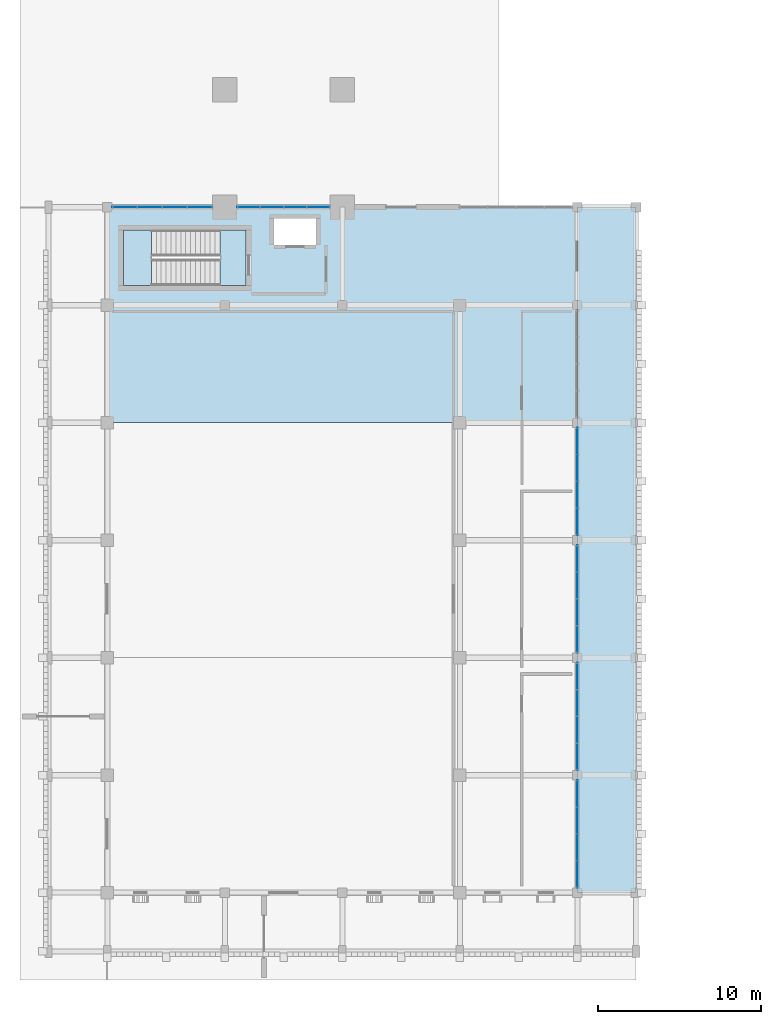
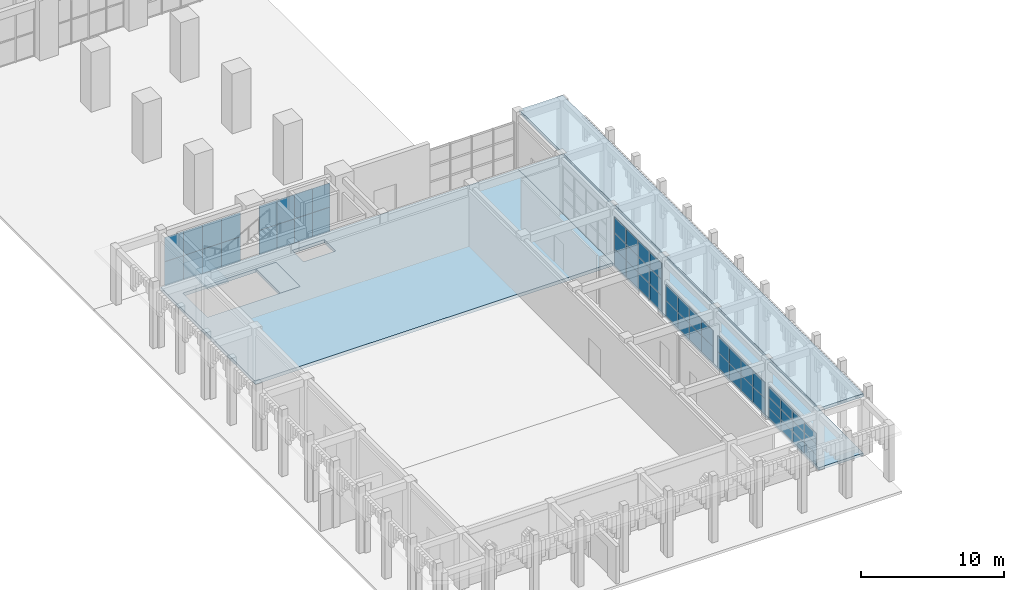
# One storey, part 26 of 72: 56 plates, 5 slabs, 7 elements without a shape of their own.
"""IFC4 building model written with IfcOpenShell, lengths in metres."""

from ifc_helpers import new_model, si_unit, direction, frame, origin, origin_2d, place, context, subcontext, project, spatial, polyline, rectangle, outline, extrude, material, layer, layer_set, type_object, element, aggregate, save


model = new_model("IFC4")

# Units and contexts
model_context = context("Model", 3, precision=1e-05, world=origin(), true_north=direction((0.0, 1.0)))
body_context = subcontext(model_context, "Body", "Model", "MODEL_VIEW")
ifc_project = project(units=[si_unit("LENGTHUNIT", "METRE"), si_unit("AREAUNIT", "SQUARE_METRE"), si_unit("VOLUMEUNIT", "CUBIC_METRE"), si_unit("PLANEANGLEUNIT", "RADIAN"), si_unit("MASSUNIT", "GRAM", prefix="KILO")], contexts=[model_context])

# Site, building, storey
site_placement = place(None, origin())
site = spatial("IfcSite", under=ifc_project, at=site_placement, CompositionType="ELEMENT")
building_placement = place(site_placement, origin())
building = spatial("IfcBuilding", under=site, at=building_placement, Name="Nzembalo Square Collegiate School", CompositionType="ELEMENT")
storey_placement = place(building_placement, origin())
storey = spatial("IfcBuildingStorey", under=building, at=storey_placement, Name="L00", CompositionType="ELEMENT", Elevation=0.0)

# Curtain wall, plates
ifc_material_1 = material(Name="Aluminium 6060-T66", Category="aluminium")
curtain_wall_type_1 = type_object("IfcCurtainWallType", Name="CW-02", PredefinedType="USERDEFINED", material=ifc_material_1)
curtain_wall_1_placement = place(storey_placement, origin())
curtain_wall_1 = element("IfcCurtainWall", 1, at=curtain_wall_1_placement, inside=storey, type_object=curtain_wall_type_1, Name="Curtain wall CW-02 cw:L00:001", ObjectType="UNITISED", PredefinedType="USERDEFINED")
ifc_material_2 = material(Name="Laminated solar-control double glazing", Category="glass")
ifc_layer_1 = layer(ifc_material_2, 0.028076171875, Name="Laminated solar-control double glazing")
ifc_layer_set_1 = layer_set([ifc_layer_1], Name="Laminated solar-control double glazing")
plate_type_1 = type_object("IfcPlateType", Name="PN01", PredefinedType="CURTAIN_PANEL", material=ifc_layer_set_1)
plate_1_placement = place(storey_placement, frame((37.199951171875, 9.526611328125, 0.00390625), z_axis=(0.0, 0.0, 1.0), x_axis=(0.0, 1.0, 0.0)))
plate_1 = element("IfcPlate", 2, at=plate_1_placement, type_object=plate_type_1, Name="PN01 glazed panel 1-1", PredefinedType="CURTAIN_PANEL", context=body_context, shape_type="SweptSolid", body=[
    extrude(rectangle(XDim=1.64111328125, YDim=0.028076171875, at=origin_2d()), origin(), (0.0, 0.0, 1.0), 0.90673828125),
])
plate_2_placement = place(storey_placement, frame((37.199951171875, 11.175537109375, 0.00390625), z_axis=(0.0, 0.0, 1.0), x_axis=(0.0, 1.0, 0.0)))
plate_2 = element("IfcPlate", 3, at=plate_2_placement, type_object=plate_type_1, Name="PN01 glazed panel 1-2", PredefinedType="CURTAIN_PANEL", context=body_context, shape_type="SweptSolid", body=[
    extrude(rectangle(XDim=1.64111328125, YDim=0.028076171875, at=origin_2d()), origin(), (0.0, 0.0, 1.0), 0.90673828125),
])
plate_3_placement = place(storey_placement, frame((37.199951171875, 12.824462890625, 0.00390625), z_axis=(0.0, 0.0, 1.0), x_axis=(0.0, 1.0, 0.0)))
plate_3 = element("IfcPlate", 4, at=plate_3_placement, type_object=plate_type_1, Name="PN01 glazed panel 1-3", PredefinedType="CURTAIN_PANEL", context=body_context, shape_type="SweptSolid", body=[
    extrude(rectangle(XDim=1.64111328125, YDim=0.028076171875, at=origin_2d()), origin(), (0.0, 0.0, 1.0), 0.90673828125),
])
plate_4_placement = place(storey_placement, frame((37.199951171875, 14.473388671875, 0.00390625), z_axis=(0.0, 0.0, 1.0), x_axis=(0.0, 1.0, 0.0)))
plate_4 = element("IfcPlate", 5, at=plate_4_placement, type_object=plate_type_1, Name="PN01 glazed panel 1-4", PredefinedType="CURTAIN_PANEL", context=body_context, shape_type="SweptSolid", body=[
    extrude(rectangle(XDim=1.64111328125, YDim=0.028076171875, at=origin_2d()), origin(), (0.0, 0.0, 1.0), 0.90673828125),
])
plate_5_placement = place(storey_placement, frame((37.199951171875, 9.526611328125, 0.918701171875), z_axis=(0.0, 0.0, 1.0), x_axis=(0.0, 1.0, 0.0)))
plate_5 = element("IfcPlate", 6, at=plate_5_placement, type_object=plate_type_1, Name="PN01 glazed panel 2-1", PredefinedType="CURTAIN_PANEL", context=body_context, shape_type="SweptSolid", body=[
    extrude(rectangle(XDim=1.64111328125, YDim=0.028076171875, at=origin_2d()), origin(), (0.0, 0.0, 1.0), 0.90673828125),
])
plate_6_placement = place(storey_placement, frame((37.199951171875, 11.175537109375, 0.918701171875), z_axis=(0.0, 0.0, 1.0), x_axis=(0.0, 1.0, 0.0)))
plate_6 = element("IfcPlate", 7, at=plate_6_placement, type_object=plate_type_1, Name="PN01 glazed panel 2-2", PredefinedType="CURTAIN_PANEL", context=body_context, shape_type="SweptSolid", body=[
    extrude(rectangle(XDim=1.64111328125, YDim=0.028076171875, at=origin_2d()), origin(), (0.0, 0.0, 1.0), 0.90673828125),
])
plate_7_placement = place(storey_placement, frame((37.199951171875, 12.824462890625, 0.918701171875), z_axis=(0.0, 0.0, 1.0), x_axis=(0.0, 1.0, 0.0)))
plate_7 = element("IfcPlate", 8, at=plate_7_placement, type_object=plate_type_1, Name="PN01 glazed panel 2-3", PredefinedType="CURTAIN_PANEL", context=body_context, shape_type="SweptSolid", body=[
    extrude(rectangle(XDim=1.64111328125, YDim=0.028076171875, at=origin_2d()), origin(), (0.0, 0.0, 1.0), 0.90673828125),
])
plate_8_placement = place(storey_placement, frame((37.199951171875, 14.473388671875, 0.918701171875), z_axis=(0.0, 0.0, 1.0), x_axis=(0.0, 1.0, 0.0)))
plate_8 = element("IfcPlate", 9, at=plate_8_placement, type_object=plate_type_1, Name="PN01 glazed panel 2-4", PredefinedType="CURTAIN_PANEL", context=body_context, shape_type="SweptSolid", body=[
    extrude(rectangle(XDim=1.64111328125, YDim=0.028076171875, at=origin_2d()), origin(), (0.0, 0.0, 1.0), 0.90673828125),
])
plate_9_placement = place(storey_placement, frame((37.199951171875, 9.526611328125, 1.833251953125), z_axis=(0.0, 0.0, 1.0), x_axis=(0.0, 1.0, 0.0)))
plate_9 = element("IfcPlate", 10, at=plate_9_placement, type_object=plate_type_1, Name="PN01 glazed panel 3-1", PredefinedType="CURTAIN_PANEL", context=body_context, shape_type="SweptSolid", body=[
    extrude(rectangle(XDim=1.64111328125, YDim=0.028076171875, at=origin_2d()), origin(), (0.0, 0.0, 1.0), 0.90673828125),
])
plate_10_placement = place(storey_placement, frame((37.199951171875, 11.175537109375, 1.833251953125), z_axis=(0.0, 0.0, 1.0), x_axis=(0.0, 1.0, 0.0)))
plate_10 = element("IfcPlate", 11, at=plate_10_placement, type_object=plate_type_1, Name="PN01 glazed panel 3-2", PredefinedType="CURTAIN_PANEL", context=body_context, shape_type="SweptSolid", body=[
    extrude(rectangle(XDim=1.64111328125, YDim=0.028076171875, at=origin_2d()), origin(), (0.0, 0.0, 1.0), 0.90673828125),
])
plate_11_placement = place(storey_placement, frame((37.199951171875, 12.824462890625, 1.833251953125), z_axis=(0.0, 0.0, 1.0), x_axis=(0.0, 1.0, 0.0)))
plate_11 = element("IfcPlate", 12, at=plate_11_placement, type_object=plate_type_1, Name="PN01 glazed panel 3-3", PredefinedType="CURTAIN_PANEL", context=body_context, shape_type="SweptSolid", body=[
    extrude(rectangle(XDim=1.64111328125, YDim=0.028076171875, at=origin_2d()), origin(), (0.0, 0.0, 1.0), 0.90673828125),
])
plate_12_placement = place(storey_placement, frame((37.199951171875, 14.473388671875, 1.833251953125), z_axis=(0.0, 0.0, 1.0), x_axis=(0.0, 1.0, 0.0)))
plate_12 = element("IfcPlate", 13, at=plate_12_placement, type_object=plate_type_1, Name="PN01 glazed panel 3-4", PredefinedType="CURTAIN_PANEL", context=body_context, shape_type="SweptSolid", body=[
    extrude(rectangle(XDim=1.64111328125, YDim=0.028076171875, at=origin_2d()), origin(), (0.0, 0.0, 1.0), 0.90673828125),
])
aggregate(curtain_wall_1, [plate_1, plate_2, plate_3, plate_4, plate_5, plate_6, plate_7, plate_8, plate_9, plate_10, plate_11, plate_12])

ifc_material_3 = material(Name="Aluminium 6060-T66", Category="aluminium")
curtain_wall_type_2 = type_object("IfcCurtainWallType", Name="CW-05", PredefinedType="USERDEFINED", material=ifc_material_3)
curtain_wall_2_placement = place(storey_placement, origin())
curtain_wall_2 = element("IfcCurtainWall", 14, at=curtain_wall_2_placement, inside=storey, type_object=curtain_wall_type_2, Name="Curtain wall CW-05 cw:L00:004", ObjectType="LANCET", PredefinedType="USERDEFINED")
plate_13_placement = place(storey_placement, frame((37.199951171875, 31.12646484375, 0.00390625), z_axis=(0.0, 0.0, 1.0), x_axis=(0.0, 1.0, 0.0)))
plate_13 = element("IfcPlate", 15, at=plate_13_placement, type_object=plate_type_1, Name="PN01 glazed panel 1-1", PredefinedType="CURTAIN_PANEL", context=body_context, shape_type="SweptSolid", body=[
    extrude(rectangle(XDim=1.64111328125, YDim=0.028076171875, at=origin_2d()), origin(), (0.0, 0.0, 1.0), 1.3701171875),
])
plate_14_placement = place(storey_placement, frame((37.199951171875, 32.775390625, 0.00390625), z_axis=(0.0, 0.0, 1.0), x_axis=(0.0, 1.0, 0.0)))
plate_14 = element("IfcPlate", 16, at=plate_14_placement, type_object=plate_type_1, Name="PN01 glazed panel 1-2", PredefinedType="CURTAIN_PANEL", context=body_context, shape_type="SweptSolid", body=[
    extrude(rectangle(XDim=1.64111328125, YDim=0.028076171875, at=origin_2d()), origin(), (0.0, 0.0, 1.0), 1.3701171875),
])
plate_15_placement = place(storey_placement, frame((37.199951171875, 34.424560546875, 0.00390625), z_axis=(0.0, 0.0, 1.0), x_axis=(0.0, 1.0, 0.0)))
plate_15 = element("IfcPlate", 17, at=plate_15_placement, type_object=plate_type_1, Name="PN01 glazed panel 1-3", PredefinedType="CURTAIN_PANEL", context=body_context, shape_type="SweptSolid", body=[
    extrude(rectangle(XDim=1.64111328125, YDim=0.028076171875, at=origin_2d()), origin(), (0.0, 0.0, 1.0), 1.3701171875),
])
plate_16_placement = place(storey_placement, frame((37.199951171875, 36.073486328125, 0.00390625), z_axis=(0.0, 0.0, 1.0), x_axis=(0.0, 1.0, 0.0)))
plate_16 = element("IfcPlate", 18, at=plate_16_placement, type_object=plate_type_1, Name="PN01 glazed panel 1-4", PredefinedType="CURTAIN_PANEL", context=body_context, shape_type="SweptSolid", body=[
    extrude(rectangle(XDim=1.64111328125, YDim=0.028076171875, at=origin_2d()), origin(), (0.0, 0.0, 1.0), 1.3701171875),
])
plate_17_placement = place(storey_placement, frame((37.199951171875, 31.12646484375, 1.3818359375), z_axis=(0.0, 0.0, 1.0), x_axis=(0.0, 1.0, 0.0)))
plate_17 = element("IfcPlate", 19, at=plate_17_placement, type_object=plate_type_1, Name="PN01 glazed panel 2-1", PredefinedType="CURTAIN_PANEL", context=body_context, shape_type="SweptSolid", body=[
    extrude(rectangle(XDim=1.64111328125, YDim=0.028076171875, at=origin_2d()), origin(), (0.0, 0.0, 1.0), 1.3701171875),
])
plate_18_placement = place(storey_placement, frame((37.199951171875, 32.775390625, 1.3818359375), z_axis=(0.0, 0.0, 1.0), x_axis=(0.0, 1.0, 0.0)))
plate_18 = element("IfcPlate", 20, at=plate_18_placement, type_object=plate_type_1, Name="PN01 glazed panel 2-2", PredefinedType="CURTAIN_PANEL", context=body_context, shape_type="SweptSolid", body=[
    extrude(rectangle(XDim=1.64111328125, YDim=0.028076171875, at=origin_2d()), origin(), (0.0, 0.0, 1.0), 1.3701171875),
])
plate_19_placement = place(storey_placement, frame((37.199951171875, 34.424560546875, 1.3818359375), z_axis=(0.0, 0.0, 1.0), x_axis=(0.0, 1.0, 0.0)))
plate_19 = element("IfcPlate", 21, at=plate_19_placement, type_object=plate_type_1, Name="PN01 glazed panel 2-3", PredefinedType="CURTAIN_PANEL", context=body_context, shape_type="SweptSolid", body=[
    extrude(rectangle(XDim=1.64111328125, YDim=0.028076171875, at=origin_2d()), origin(), (0.0, 0.0, 1.0), 1.3701171875),
])
plate_20_placement = place(storey_placement, frame((37.199951171875, 36.073486328125, 1.3818359375), z_axis=(0.0, 0.0, 1.0), x_axis=(0.0, 1.0, 0.0)))
plate_20 = element("IfcPlate", 22, at=plate_20_placement, type_object=plate_type_1, Name="PN01 glazed panel 2-4", PredefinedType="CURTAIN_PANEL", context=body_context, shape_type="SweptSolid", body=[
    extrude(rectangle(XDim=1.64111328125, YDim=0.028076171875, at=origin_2d()), origin(), (0.0, 0.0, 1.0), 1.3701171875),
])
plate_21_placement = place(storey_placement, frame((37.199951171875, 31.12646484375, 2.760009765625), z_axis=(0.0, 0.0, 1.0), x_axis=(0.0, 1.0, 0.0)))
plate_21 = element("IfcPlate", 23, at=plate_21_placement, type_object=plate_type_1, Name="PN01 glazed panel 3-1", PredefinedType="CURTAIN_PANEL", context=body_context, shape_type="SweptSolid", body=[
    extrude(rectangle(XDim=1.64111328125, YDim=0.028076171875, at=origin_2d()), origin(), (0.0, 0.0, 1.0), 1.3701171875),
])
plate_22_placement = place(storey_placement, frame((37.199951171875, 32.775390625, 2.760009765625), z_axis=(0.0, 0.0, 1.0), x_axis=(0.0, 1.0, 0.0)))
plate_22 = element("IfcPlate", 24, at=plate_22_placement, type_object=plate_type_1, Name="PN01 glazed panel 3-2", PredefinedType="CURTAIN_PANEL", context=body_context, shape_type="SweptSolid", body=[
    extrude(rectangle(XDim=1.64111328125, YDim=0.028076171875, at=origin_2d()), origin(), (0.0, 0.0, 1.0), 1.3701171875),
])
plate_23_placement = place(storey_placement, frame((37.199951171875, 34.424560546875, 2.760009765625), z_axis=(0.0, 0.0, 1.0), x_axis=(0.0, 1.0, 0.0)))
plate_23 = element("IfcPlate", 25, at=plate_23_placement, type_object=plate_type_1, Name="PN01 glazed panel 3-3", PredefinedType="CURTAIN_PANEL", context=body_context, shape_type="SweptSolid", body=[
    extrude(rectangle(XDim=1.64111328125, YDim=0.028076171875, at=origin_2d()), origin(), (0.0, 0.0, 1.0), 1.3701171875),
])
plate_24_placement = place(storey_placement, frame((37.199951171875, 36.073486328125, 2.760009765625), z_axis=(0.0, 0.0, 1.0), x_axis=(0.0, 1.0, 0.0)))
plate_24 = element("IfcPlate", 26, at=plate_24_placement, type_object=plate_type_1, Name="PN01 glazed panel 3-4", PredefinedType="CURTAIN_PANEL", context=body_context, shape_type="SweptSolid", body=[
    extrude(rectangle(XDim=1.64111328125, YDim=0.028076171875, at=origin_2d()), origin(), (0.0, 0.0, 1.0), 1.3701171875),
])
aggregate(curtain_wall_2, [plate_13, plate_14, plate_15, plate_16, plate_17, plate_18, plate_19, plate_20, plate_21, plate_22, plate_23, plate_24])

ifc_material_4 = material(Name="Aluminium 6060-T66", Category="aluminium")
curtain_wall_type_3 = type_object("IfcCurtainWallType", Name="CW-03", PredefinedType="USERDEFINED", material=ifc_material_4)
curtain_wall_3_placement = place(storey_placement, origin())
curtain_wall_3 = element("IfcCurtainWall", 27, at=curtain_wall_3_placement, inside=storey, type_object=curtain_wall_type_3, Name="Curtain wall CW-03 cw:L00:002", ObjectType="UNITISED", PredefinedType="USERDEFINED")
ifc_material_5 = material(Name="Acoustic laminated solar-control glazing", Category="glass")
ifc_layer_2 = layer(ifc_material_5, 0.031982421875, Name="Acoustic laminated solar-control glazing")
ifc_layer_set_2 = layer_set([ifc_layer_2], Name="Acoustic laminated solar-control glazing")
plate_type_2 = type_object("IfcPlateType", Name="PN02", PredefinedType="CURTAIN_PANEL", material=ifc_layer_set_2)
plate_25_placement = place(storey_placement, frame((37.199951171875, 16.7265625, 0.00390625), z_axis=(0.0, 0.0, 1.0), x_axis=(0.0, 1.0, 0.0)))
plate_25 = element("IfcPlate", 28, at=plate_25_placement, type_object=plate_type_2, Name="PN02 glazed panel 1-1", PredefinedType="CURTAIN_PANEL", context=body_context, shape_type="SweptSolid", body=[
    extrude(rectangle(XDim=1.64111328125, YDim=0.031982421875, at=origin_2d()), origin(), (0.0, 0.0, 1.0), 1.364013671875),
])
plate_26_placement = place(storey_placement, frame((37.199951171875, 18.37548828125, 0.00390625), z_axis=(0.0, 0.0, 1.0), x_axis=(0.0, 1.0, 0.0)))
plate_26 = element("IfcPlate", 29, at=plate_26_placement, type_object=plate_type_2, Name="PN02 glazed panel 1-2", PredefinedType="CURTAIN_PANEL", context=body_context, shape_type="SweptSolid", body=[
    extrude(rectangle(XDim=1.64111328125, YDim=0.031982421875, at=origin_2d()), origin(), (0.0, 0.0, 1.0), 1.364013671875),
])
plate_27_placement = place(storey_placement, frame((37.199951171875, 20.0244140625, 0.00390625), z_axis=(0.0, 0.0, 1.0), x_axis=(0.0, 1.0, 0.0)))
plate_27 = element("IfcPlate", 30, at=plate_27_placement, type_object=plate_type_2, Name="PN02 glazed panel 1-3", PredefinedType="CURTAIN_PANEL", context=body_context, shape_type="SweptSolid", body=[
    extrude(rectangle(XDim=1.64111328125, YDim=0.031982421875, at=origin_2d()), origin(), (0.0, 0.0, 1.0), 1.364013671875),
])
plate_28_placement = place(storey_placement, frame((37.199951171875, 21.673583984375, 0.00390625), z_axis=(0.0, 0.0, 1.0), x_axis=(0.0, 1.0, 0.0)))
plate_28 = element("IfcPlate", 31, at=plate_28_placement, type_object=plate_type_2, Name="PN02 glazed panel 1-4", PredefinedType="CURTAIN_PANEL", context=body_context, shape_type="SweptSolid", body=[
    extrude(rectangle(XDim=1.64111328125, YDim=0.031982421875, at=origin_2d()), origin(), (0.0, 0.0, 1.0), 1.364013671875),
])
plate_29_placement = place(storey_placement, frame((37.199951171875, 16.7265625, 1.3759765625), z_axis=(0.0, 0.0, 1.0), x_axis=(0.0, 1.0, 0.0)))
plate_29 = element("IfcPlate", 32, at=plate_29_placement, type_object=plate_type_2, Name="PN02 glazed panel 2-1", PredefinedType="CURTAIN_PANEL", context=body_context, shape_type="SweptSolid", body=[
    extrude(rectangle(XDim=1.64111328125, YDim=0.031982421875, at=origin_2d()), origin(), (0.0, 0.0, 1.0), 1.364013671875),
])
plate_30_placement = place(storey_placement, frame((37.199951171875, 18.37548828125, 1.3759765625), z_axis=(0.0, 0.0, 1.0), x_axis=(0.0, 1.0, 0.0)))
plate_30 = element("IfcPlate", 33, at=plate_30_placement, type_object=plate_type_2, Name="PN02 glazed panel 2-2", PredefinedType="CURTAIN_PANEL", context=body_context, shape_type="SweptSolid", body=[
    extrude(rectangle(XDim=1.64111328125, YDim=0.031982421875, at=origin_2d()), origin(), (0.0, 0.0, 1.0), 1.364013671875),
])
plate_31_placement = place(storey_placement, frame((37.199951171875, 20.0244140625, 1.3759765625), z_axis=(0.0, 0.0, 1.0), x_axis=(0.0, 1.0, 0.0)))
plate_31 = element("IfcPlate", 34, at=plate_31_placement, type_object=plate_type_2, Name="PN02 glazed panel 2-3", PredefinedType="CURTAIN_PANEL", context=body_context, shape_type="SweptSolid", body=[
    extrude(rectangle(XDim=1.64111328125, YDim=0.031982421875, at=origin_2d()), origin(), (0.0, 0.0, 1.0), 1.364013671875),
])
plate_32_placement = place(storey_placement, frame((37.199951171875, 21.673583984375, 1.3759765625), z_axis=(0.0, 0.0, 1.0), x_axis=(0.0, 1.0, 0.0)))
plate_32 = element("IfcPlate", 35, at=plate_32_placement, type_object=plate_type_2, Name="PN02 glazed panel 2-4", PredefinedType="CURTAIN_PANEL", context=body_context, shape_type="SweptSolid", body=[
    extrude(rectangle(XDim=1.64111328125, YDim=0.031982421875, at=origin_2d()), origin(), (0.0, 0.0, 1.0), 1.364013671875),
])
aggregate(curtain_wall_3, [plate_25, plate_26, plate_27, plate_28, plate_29, plate_30, plate_31, plate_32])

ifc_material_6 = material(Name="Aluminium 6060-T66", Category="aluminium")
curtain_wall_type_4 = type_object("IfcCurtainWallType", Name="CW-04", PredefinedType="USERDEFINED", material=ifc_material_6)
curtain_wall_4_placement = place(storey_placement, origin())
curtain_wall_4 = element("IfcCurtainWall", 36, at=curtain_wall_4_placement, inside=storey, type_object=curtain_wall_type_4, Name="Curtain wall CW-04 cw:L00:003", ObjectType="UNITISED", PredefinedType="USERDEFINED")
plate_33_placement = place(storey_placement, frame((37.199951171875, 23.926513671875, 0.00390625), z_axis=(0.0, 0.0, 1.0), x_axis=(0.0, 1.0, 0.0)))
plate_33 = element("IfcPlate", 37, at=plate_33_placement, type_object=plate_type_2, Name="PN02 glazed panel 1-1", PredefinedType="CURTAIN_PANEL", context=body_context, shape_type="SweptSolid", body=[
    extrude(rectangle(XDim=1.64111328125, YDim=0.031982421875, at=origin_2d()), origin(), (0.0, 0.0, 1.0), 1.364013671875),
])
plate_34_placement = place(storey_placement, frame((37.199951171875, 25.575439453125, 0.00390625), z_axis=(0.0, 0.0, 1.0), x_axis=(0.0, 1.0, 0.0)))
plate_34 = element("IfcPlate", 38, at=plate_34_placement, type_object=plate_type_2, Name="PN02 glazed panel 1-2", PredefinedType="CURTAIN_PANEL", context=body_context, shape_type="SweptSolid", body=[
    extrude(rectangle(XDim=1.64111328125, YDim=0.031982421875, at=origin_2d()), origin(), (0.0, 0.0, 1.0), 1.364013671875),
])
plate_35_placement = place(storey_placement, frame((37.199951171875, 27.224609375, 0.00390625), z_axis=(0.0, 0.0, 1.0), x_axis=(0.0, 1.0, 0.0)))
plate_35 = element("IfcPlate", 39, at=plate_35_placement, type_object=plate_type_2, Name="PN02 glazed panel 1-3", PredefinedType="CURTAIN_PANEL", context=body_context, shape_type="SweptSolid", body=[
    extrude(rectangle(XDim=1.64111328125, YDim=0.031982421875, at=origin_2d()), origin(), (0.0, 0.0, 1.0), 1.364013671875),
])
plate_36_placement = place(storey_placement, frame((37.199951171875, 28.87353515625, 0.00390625), z_axis=(0.0, 0.0, 1.0), x_axis=(0.0, 1.0, 0.0)))
plate_36 = element("IfcPlate", 40, at=plate_36_placement, type_object=plate_type_2, Name="PN02 glazed panel 1-4", PredefinedType="CURTAIN_PANEL", context=body_context, shape_type="SweptSolid", body=[
    extrude(rectangle(XDim=1.64111328125, YDim=0.031982421875, at=origin_2d()), origin(), (0.0, 0.0, 1.0), 1.364013671875),
])
plate_37_placement = place(storey_placement, frame((37.199951171875, 23.926513671875, 1.3759765625), z_axis=(0.0, 0.0, 1.0), x_axis=(0.0, 1.0, 0.0)))
plate_37 = element("IfcPlate", 41, at=plate_37_placement, type_object=plate_type_2, Name="PN02 glazed panel 2-1", PredefinedType="CURTAIN_PANEL", context=body_context, shape_type="SweptSolid", body=[
    extrude(rectangle(XDim=1.64111328125, YDim=0.031982421875, at=origin_2d()), origin(), (0.0, 0.0, 1.0), 1.364013671875),
])
plate_38_placement = place(storey_placement, frame((37.199951171875, 25.575439453125, 1.3759765625), z_axis=(0.0, 0.0, 1.0), x_axis=(0.0, 1.0, 0.0)))
plate_38 = element("IfcPlate", 42, at=plate_38_placement, type_object=plate_type_2, Name="PN02 glazed panel 2-2", PredefinedType="CURTAIN_PANEL", context=body_context, shape_type="SweptSolid", body=[
    extrude(rectangle(XDim=1.64111328125, YDim=0.031982421875, at=origin_2d()), origin(), (0.0, 0.0, 1.0), 1.364013671875),
])
plate_39_placement = place(storey_placement, frame((37.199951171875, 27.224609375, 1.3759765625), z_axis=(0.0, 0.0, 1.0), x_axis=(0.0, 1.0, 0.0)))
plate_39 = element("IfcPlate", 43, at=plate_39_placement, type_object=plate_type_2, Name="PN02 glazed panel 2-3", PredefinedType="CURTAIN_PANEL", context=body_context, shape_type="SweptSolid", body=[
    extrude(rectangle(XDim=1.64111328125, YDim=0.031982421875, at=origin_2d()), origin(), (0.0, 0.0, 1.0), 1.364013671875),
])
plate_40_placement = place(storey_placement, frame((37.199951171875, 28.87353515625, 1.3759765625), z_axis=(0.0, 0.0, 1.0), x_axis=(0.0, 1.0, 0.0)))
plate_40 = element("IfcPlate", 44, at=plate_40_placement, type_object=plate_type_2, Name="PN02 glazed panel 2-4", PredefinedType="CURTAIN_PANEL", context=body_context, shape_type="SweptSolid", body=[
    extrude(rectangle(XDim=1.64111328125, YDim=0.031982421875, at=origin_2d()), origin(), (0.0, 0.0, 1.0), 1.364013671875),
])
aggregate(curtain_wall_4, [plate_33, plate_34, plate_35, plate_36, plate_37, plate_38, plate_39, plate_40])

ifc_material_7 = material(Name="Aluminium 6060-T66", Category="aluminium")
curtain_wall_type_5 = type_object("IfcCurtainWallType", Name="CW-07", PredefinedType="USERDEFINED", material=ifc_material_7)
curtain_wall_5_placement = place(storey_placement, origin())
curtain_wall_5 = element("IfcCurtainWall", 45, at=curtain_wall_5_placement, inside=storey, type_object=curtain_wall_type_5, Name="Curtain wall CW-07 cw:L00:006", ObjectType="LANCET", PredefinedType="USERDEFINED")
plate_41_placement = place(storey_placement, frame((9.47021484375, 50.39990234375, 0.00390625), z_axis=(0.0, 0.0, 1.0), x_axis=(1.0, 0.0, 0.0)))
plate_41 = element("IfcPlate", 46, at=plate_41_placement, type_object=plate_type_2, Name="PN02 glazed panel 1-1", PredefinedType="CURTAIN_PANEL", context=body_context, shape_type="SweptSolid", body=[
    extrude(rectangle(XDim=1.528564453125, YDim=0.031982421875, at=origin_2d()), origin(), (0.0, 0.0, 1.0), 2.05908203125),
])
plate_42_placement = place(storey_placement, frame((11.0068359375, 50.39990234375, 0.00390625), z_axis=(0.0, 0.0, 1.0), x_axis=(1.0, 0.0, 0.0)))
plate_42 = element("IfcPlate", 47, at=plate_42_placement, type_object=plate_type_2, Name="PN02 glazed panel 1-2", PredefinedType="CURTAIN_PANEL", context=body_context, shape_type="SweptSolid", body=[
    extrude(rectangle(XDim=1.528564453125, YDim=0.031982421875, at=origin_2d()), origin(), (0.0, 0.0, 1.0), 2.05908203125),
])
plate_43_placement = place(storey_placement, frame((12.543212890625, 50.39990234375, 0.00390625), z_axis=(0.0, 0.0, 1.0), x_axis=(1.0, 0.0, 0.0)))
plate_43 = element("IfcPlate", 48, at=plate_43_placement, type_object=plate_type_2, Name="PN02 glazed panel 1-3", PredefinedType="CURTAIN_PANEL", context=body_context, shape_type="SweptSolid", body=[
    extrude(rectangle(XDim=1.528564453125, YDim=0.031982421875, at=origin_2d()), origin(), (0.0, 0.0, 1.0), 2.05908203125),
])
plate_44_placement = place(storey_placement, frame((14.079833984375, 50.39990234375, 0.00390625), z_axis=(0.0, 0.0, 1.0), x_axis=(1.0, 0.0, 0.0)))
plate_44 = element("IfcPlate", 49, at=plate_44_placement, type_object=plate_type_2, Name="PN02 glazed panel 1-4", PredefinedType="CURTAIN_PANEL", context=body_context, shape_type="SweptSolid", body=[
    extrude(rectangle(XDim=1.528564453125, YDim=0.031982421875, at=origin_2d()), origin(), (0.0, 0.0, 1.0), 2.05908203125),
])
plate_45_placement = place(storey_placement, frame((9.47021484375, 50.39990234375, 2.071044921875), z_axis=(0.0, 0.0, 1.0), x_axis=(1.0, 0.0, 0.0)))
plate_45 = element("IfcPlate", 50, at=plate_45_placement, type_object=plate_type_2, Name="PN02 glazed panel 2-1", PredefinedType="CURTAIN_PANEL", context=body_context, shape_type="SweptSolid", body=[
    extrude(rectangle(XDim=1.528564453125, YDim=0.031982421875, at=origin_2d()), origin(), (0.0, 0.0, 1.0), 2.05908203125),
])
plate_46_placement = place(storey_placement, frame((11.0068359375, 50.39990234375, 2.071044921875), z_axis=(0.0, 0.0, 1.0), x_axis=(1.0, 0.0, 0.0)))
plate_46 = element("IfcPlate", 51, at=plate_46_placement, type_object=plate_type_2, Name="PN02 glazed panel 2-2", PredefinedType="CURTAIN_PANEL", context=body_context, shape_type="SweptSolid", body=[
    extrude(rectangle(XDim=1.528564453125, YDim=0.031982421875, at=origin_2d()), origin(), (0.0, 0.0, 1.0), 2.05908203125),
])
plate_47_placement = place(storey_placement, frame((12.543212890625, 50.39990234375, 2.071044921875), z_axis=(0.0, 0.0, 1.0), x_axis=(1.0, 0.0, 0.0)))
plate_47 = element("IfcPlate", 52, at=plate_47_placement, type_object=plate_type_2, Name="PN02 glazed panel 2-3", PredefinedType="CURTAIN_PANEL", context=body_context, shape_type="SweptSolid", body=[
    extrude(rectangle(XDim=1.528564453125, YDim=0.031982421875, at=origin_2d()), origin(), (0.0, 0.0, 1.0), 2.05908203125),
])
plate_48_placement = place(storey_placement, frame((14.079833984375, 50.39990234375, 2.071044921875), z_axis=(0.0, 0.0, 1.0), x_axis=(1.0, 0.0, 0.0)))
plate_48 = element("IfcPlate", 53, at=plate_48_placement, type_object=plate_type_2, Name="PN02 glazed panel 2-4", PredefinedType="CURTAIN_PANEL", context=body_context, shape_type="SweptSolid", body=[
    extrude(rectangle(XDim=1.528564453125, YDim=0.031982421875, at=origin_2d()), origin(), (0.0, 0.0, 1.0), 2.05908203125),
])
aggregate(curtain_wall_5, [plate_41, plate_42, plate_43, plate_44, plate_45, plate_46, plate_47, plate_48])

ifc_material_8 = material(Name="Aluminium 6060-T66", Category="aluminium")
curtain_wall_type_6 = type_object("IfcCurtainWallType", Name="CW-08", PredefinedType="USERDEFINED", material=ifc_material_8)
curtain_wall_6_placement = place(storey_placement, origin())
curtain_wall_6 = element("IfcCurtainWall", 54, at=curtain_wall_6_placement, inside=storey, type_object=curtain_wall_type_6, Name="Curtain wall CW-08 cw:L00:007", ObjectType="LANCET", PredefinedType="USERDEFINED")
plate_49_placement = place(storey_placement, frame((17.06396484375, 50.39990234375, 0.00390625), z_axis=(0.0, 0.0, 1.0), x_axis=(1.0, 0.0, 0.0)))
plate_49 = element("IfcPlate", 55, at=plate_49_placement, type_object=plate_type_2, Name="PN02 glazed panel 1-1", PredefinedType="CURTAIN_PANEL", context=body_context, shape_type="SweptSolid", body=[
    extrude(rectangle(XDim=1.416015625, YDim=0.031982421875, at=origin_2d()), origin(), (0.0, 0.0, 1.0), 2.05908203125),
])
plate_50_placement = place(storey_placement, frame((18.488037109375, 50.39990234375, 0.00390625), z_axis=(0.0, 0.0, 1.0), x_axis=(1.0, 0.0, 0.0)))
plate_50 = element("IfcPlate", 56, at=plate_50_placement, type_object=plate_type_2, Name="PN02 glazed panel 1-2", PredefinedType="CURTAIN_PANEL", context=body_context, shape_type="SweptSolid", body=[
    extrude(rectangle(XDim=1.416015625, YDim=0.031982421875, at=origin_2d()), origin(), (0.0, 0.0, 1.0), 2.05908203125),
])
plate_51_placement = place(storey_placement, frame((19.912109375, 50.39990234375, 0.00390625), z_axis=(0.0, 0.0, 1.0), x_axis=(1.0, 0.0, 0.0)))
plate_51 = element("IfcPlate", 57, at=plate_51_placement, type_object=plate_type_2, Name="PN02 glazed panel 1-3", PredefinedType="CURTAIN_PANEL", context=body_context, shape_type="SweptSolid", body=[
    extrude(rectangle(XDim=1.416015625, YDim=0.031982421875, at=origin_2d()), origin(), (0.0, 0.0, 1.0), 2.05908203125),
])
plate_52_placement = place(storey_placement, frame((21.3359375, 50.39990234375, 0.00390625), z_axis=(0.0, 0.0, 1.0), x_axis=(1.0, 0.0, 0.0)))
plate_52 = element("IfcPlate", 58, at=plate_52_placement, type_object=plate_type_2, Name="PN02 glazed panel 1-4", PredefinedType="CURTAIN_PANEL", context=body_context, shape_type="SweptSolid", body=[
    extrude(rectangle(XDim=1.416015625, YDim=0.031982421875, at=origin_2d()), origin(), (0.0, 0.0, 1.0), 2.05908203125),
])
plate_53_placement = place(storey_placement, frame((17.06396484375, 50.39990234375, 2.071044921875), z_axis=(0.0, 0.0, 1.0), x_axis=(1.0, 0.0, 0.0)))
plate_53 = element("IfcPlate", 59, at=plate_53_placement, type_object=plate_type_2, Name="PN02 glazed panel 2-1", PredefinedType="CURTAIN_PANEL", context=body_context, shape_type="SweptSolid", body=[
    extrude(rectangle(XDim=1.416015625, YDim=0.031982421875, at=origin_2d()), origin(), (0.0, 0.0, 1.0), 2.05908203125),
])
plate_54_placement = place(storey_placement, frame((18.488037109375, 50.39990234375, 2.071044921875), z_axis=(0.0, 0.0, 1.0), x_axis=(1.0, 0.0, 0.0)))
plate_54 = element("IfcPlate", 60, at=plate_54_placement, type_object=plate_type_2, Name="PN02 glazed panel 2-2", PredefinedType="CURTAIN_PANEL", context=body_context, shape_type="SweptSolid", body=[
    extrude(rectangle(XDim=1.416015625, YDim=0.031982421875, at=origin_2d()), origin(), (0.0, 0.0, 1.0), 2.05908203125),
])
plate_55_placement = place(storey_placement, frame((19.912109375, 50.39990234375, 2.071044921875), z_axis=(0.0, 0.0, 1.0), x_axis=(1.0, 0.0, 0.0)))
plate_55 = element("IfcPlate", 61, at=plate_55_placement, type_object=plate_type_2, Name="PN02 glazed panel 2-3", PredefinedType="CURTAIN_PANEL", context=body_context, shape_type="SweptSolid", body=[
    extrude(rectangle(XDim=1.416015625, YDim=0.031982421875, at=origin_2d()), origin(), (0.0, 0.0, 1.0), 2.05908203125),
])
plate_56_placement = place(storey_placement, frame((21.3359375, 50.39990234375, 2.071044921875), z_axis=(0.0, 0.0, 1.0), x_axis=(1.0, 0.0, 0.0)))
plate_56 = element("IfcPlate", 62, at=plate_56_placement, type_object=plate_type_2, Name="PN02 glazed panel 2-4", PredefinedType="CURTAIN_PANEL", context=body_context, shape_type="SweptSolid", body=[
    extrude(rectangle(XDim=1.416015625, YDim=0.031982421875, at=origin_2d()), origin(), (0.0, 0.0, 1.0), 2.05908203125),
])
aggregate(curtain_wall_6, [plate_49, plate_50, plate_51, plate_52, plate_53, plate_54, plate_55, plate_56])

# Stair, slab
ifc_material_9 = material(Name="Precast concrete C40/50", Category="concrete")
stair_type = type_object("IfcStairType", Name="ST-30R", PredefinedType="HALF_TURN_STAIR", material=ifc_material_9)
stair_placement = place(storey_placement, origin())
stair = element("IfcStair", 63, at=stair_placement, inside=storey, type_object=stair_type, Name="Escape stair ST-02 (C1 L00)", PredefinedType="HALF_TURN_STAIR")
ifc_material_10 = material(Name="Precast concrete C40/50", Category="concrete")
ifc_layer_3 = layer(ifc_material_10, 0.199951171875, Name="Precast concrete C40/50")
ifc_layer_set_3 = layer_set([ifc_layer_3], Name="Precast concrete C40/50")
slab_type_1 = type_object("IfcSlabType", Name="SL-LDG", PredefinedType="LANDING", material=ifc_layer_set_3)
slab_1_placement = place(storey_placement, frame((0.0, 0.0, 2.35009765625)))
slab_1 = element("IfcSlab", 64, at=slab_1_placement, type_object=slab_type_1, Name="ST-02 landing 1", PredefinedType="LANDING", context=body_context, shape_type="SweptSolid", body=[
    extrude(outline(polyline([(11.10009765625, 49.0), (9.39990234375, 49.0), (9.39990234375, 45.60009765625), (11.10009765625, 45.60009765625), (11.10009765625, 49.0)])), origin(), (0.0, 0.0, 1.0), 0.199951171875),
])
aggregate(stair, [slab_1])

# Slabs
ifc_material_11 = material(Name="CLT CL24", Category="wood")
ifc_layer_4 = layer(ifc_material_11, 0.27001953125, Name="CLT CL24")
ifc_layer_set_4 = layer_set([ifc_layer_4], Name="CLT CL24")
slab_type_2 = type_object("IfcSlabType", Name="RS-F27", PredefinedType="ROOF", material=ifc_layer_set_4)
slab_2_placement = place(storey_placement, frame((0.0, 0.0, 4.800048828125)))
element("IfcSlab", 65, at=slab_2_placement, inside=storey, type_object=slab_type_2, Name="Step roof slab RS-ARC-CW", PredefinedType="ROOF", context=body_context, shape_type="SweptSolid", body=[
    extrude(outline(polyline([(37.260009765625, 8.39990234375), (40.800048828125, 8.39990234375), (40.800048828125, 50.340087890625), (37.260009765625, 50.340087890625), (37.260009765625, 8.39990234375)])), origin(), (0.0, 0.0, 1.0), 0.27001953125),
])
ifc_material_12 = material(Name="Concrete C35/45", Category="concrete")
ifc_layer_5 = layer(ifc_material_12, 0.219970703125, Name="Concrete C35/45")
ifc_layer_set_5 = layer_set([ifc_layer_5], Name="Concrete C35/45")
slab_type_3 = type_object("IfcSlabType", Name="SL-00E", PredefinedType="FLOOR", material=ifc_layer_set_5)
slab_3_placement = place(storey_placement, frame((0.0, 0.0, -0.219970703125)))
element("IfcSlab", 66, at=slab_3_placement, inside=storey, type_object=slab_type_3, Name="Slab SL-L00-27", PredefinedType="FLOOR", context=body_context, shape_type="SweptSolid", body=[
    extrude(outline(polyline([(37.199951171875, 8.39990234375), (40.800048828125, 8.39990234375), (40.800048828125, 50.39990234375), (37.199951171875, 50.39990234375), (37.199951171875, 8.39990234375)])), origin(), (0.0, 0.0, 1.0), 0.219970703125),
])
ifc_material_13 = material(Name="Concrete C35/45", Category="concrete")
ifc_layer_6 = layer(ifc_material_13, 0.280029296875, Name="Concrete C35/45")
ifc_layer_set_6 = layer_set([ifc_layer_6], Name="Concrete C35/45")
slab_type_4 = type_object("IfcSlabType", Name="SL-00", PredefinedType="FLOOR", material=ifc_layer_set_6)
slab_4_placement = place(storey_placement, frame((0.0, 0.0, -0.280029296875)))
element("IfcSlab", 67, at=slab_4_placement, inside=storey, type_object=slab_type_4, Name="Slab SL-L00-08", PredefinedType="FLOOR", context=body_context, shape_type="SweptSolid", body=[
    extrude(outline(polyline([(8.39990234375, 37.199951171875), (37.199951171875, 37.199951171875), (37.199951171875, 50.39990234375), (8.39990234375, 50.39990234375), (8.39990234375, 37.199951171875)]), holes=[polyline([(18.60009765625, 48.10009765625), (21.199951171875, 48.10009765625), (21.199951171875, 49.699951171875), (18.60009765625, 49.699951171875), (18.60009765625, 48.10009765625)]), polyline([(16.89990234375, 49.0), (9.39990234375, 49.0), (9.39990234375, 45.60009765625), (16.89990234375, 45.60009765625), (16.89990234375, 49.0)])]), origin(), (0.0, 0.0, 1.0), 0.280029296875),
])
slab_5_placement = place(storey_placement, frame((0.0, 0.0, -0.280029296875)))
element("IfcSlab", 68, at=slab_5_placement, inside=storey, type_object=slab_type_4, Name="Core C1 floor landing slab SL-L00-C1", PredefinedType="FLOOR", context=body_context, shape_type="SweptSolid", body=[
    extrude(outline(polyline([(15.300048828125, 45.60009765625), (16.89990234375, 45.60009765625), (16.89990234375, 49.0), (15.300048828125, 49.0), (15.300048828125, 45.60009765625)])), origin(), (0.0, 0.0, 1.0), 0.280029296875),
])

save(model, "model.ifc")
